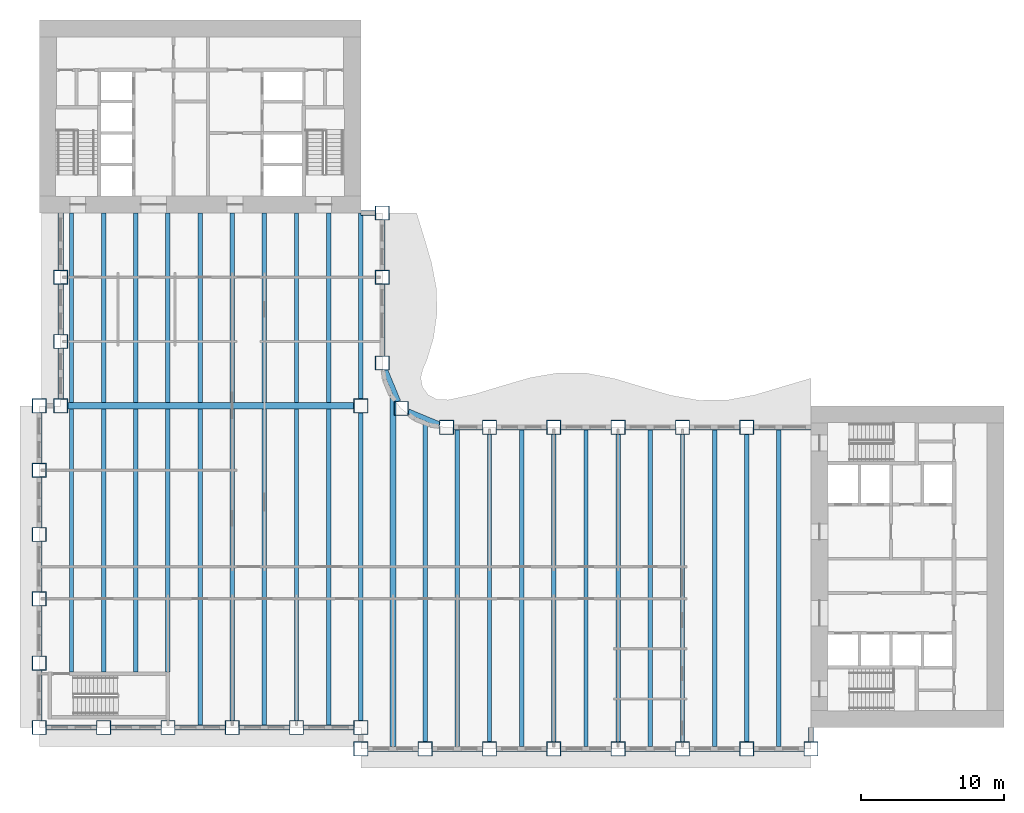
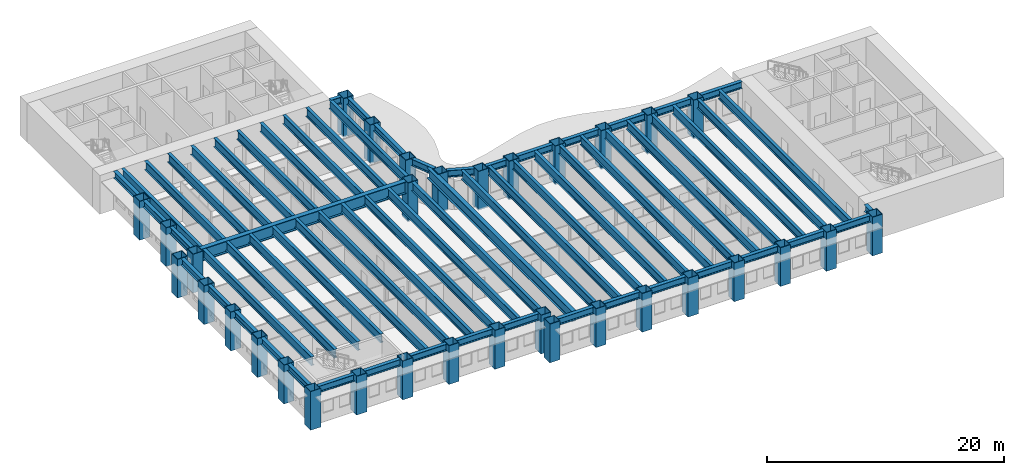
# One storey, part 1 of 16: 66 beams, 33 columns.
"""IFC4 building model written with IfcOpenShell, lengths in metres."""

from ifc_helpers import new_model, si_unit, direction, frame, origin, origin_2d, place, context, subcontext, project, spatial, hollow_rectangle, i_section, extrude, material, material_profile, profile_set, type_object, element, save


model = new_model("IFC4")

# Units and contexts
model_context = context("Model", 3, precision=1e-05, world=origin(), true_north=direction((0.0, 1.0)))
body_context = subcontext(model_context, "Body", "Model", "MODEL_VIEW")
ifc_project = project(units=[si_unit("LENGTHUNIT", "METRE"), si_unit("AREAUNIT", "SQUARE_METRE"), si_unit("VOLUMEUNIT", "CUBIC_METRE"), si_unit("PLANEANGLEUNIT", "RADIAN"), si_unit("MASSUNIT", "GRAM", prefix="KILO")], contexts=[model_context])

# Site, building, storey
site_placement = place(None, origin())
site = spatial("IfcSite", under=ifc_project, at=site_placement, CompositionType="ELEMENT")
building_placement = place(site_placement, origin())
building = spatial("IfcBuilding", under=site, at=building_placement, Name="Sennacour Bend Tower", CompositionType="ELEMENT")
storey_placement = place(building_placement, frame((0.0, 0.0, 119.0)))
storey = spatial("IfcBuildingStorey", under=building, at=storey_placement, Name="L27", CompositionType="ELEMENT", Elevation=119.0)

# Columns
ifc_material_1 = material(Name="Steel ASTM A572 Grade 50", Category="steel")
ifc_material_profile_1 = material_profile(ifc_material_1, hollow_rectangle(XDim=1.0, YDim=1.0, WallThickness=0.050048828125, at=origin_2d()), Name="Steel ASTM A572 Grade 50", Category="steel")
ifc_profile_set_1 = profile_set([ifc_material_profile_1], Name="Steel ASTM A572 Grade 50")
column_type = type_object("IfcColumnType", Name="Box column 1000", PredefinedType="COLUMN", material=ifc_profile_set_1)
for number, where, z_axis, x_axis, name in (
    (1, (0.0, 0.0, -0.14990234375), (0.0, 0.0, 1.0), (1.0, 0.0, 0.0), "Perimeter column C2 L27-001"),
    (2, (0.0, 4.5, -0.14990234375), (0.0, 0.0, 1.0), (1.0, 0.0, 0.0), "Perimeter column C2 L27-002"),
    (3, (0.0, 9.0, -0.14990234375), (0.0, 0.0, 1.0), (1.0, 0.0, 0.0), "Perimeter column C2 L27-003"),
    (4, (0.0, 13.5, -0.14990234375), (0.0, 0.0, 1.0), (1.0, 0.0, 0.0), "Perimeter column C2 L27-004"),
    (5, (0.0, 18.0, -0.14990234375), (0.0, 0.0, 1.0), (1.0, 0.0, 0.0), "Perimeter column C2 L27-005"),
    (6, (0.0, 22.5, -0.14990234375), (0.0, 0.0, 1.0), (1.0, 0.0, 0.0), "Perimeter column C2 L27-006"),
    (7, (1.5, 22.5, -0.14990234375), (0.0, 0.0, 1.0), (1.0, 0.0, 0.0), "Perimeter column C2 L27-007"),
    (8, (1.5, 27.0, -0.14990234375), (0.0, 0.0, 1.0), (1.0, 0.0, 0.0), "Perimeter column C2 L27-008"),
    (9, (1.5, 31.5, -0.14990234375), (0.0, 0.0, 1.0), (1.0, 0.0, 0.0), "Perimeter column C2 L27-009"),
    (10, (4.5, 0.0, -0.14990234375), (0.0, 0.0, 1.0), (1.0, 0.0, 0.0), "Perimeter column C2 L27-010"),
    (11, (9.0, 0.0, -0.14990234375), (0.0, 0.0, 1.0), (1.0, 0.0, 0.0), "Perimeter column C2 L27-011"),
    (12, (13.5, 0.0, -0.14990234375), (0.0, 0.0, 1.0), (1.0, 0.0, 0.0), "Perimeter column C2 L27-012"),
    (13, (18.0, 0.0, -0.14990234375), (0.0, 0.0, 1.0), (1.0, 0.0, 0.0), "Perimeter column C2 L27-013"),
    (14, (22.5, -1.5, -0.14990234375), (0.0, 0.0, 1.0), (1.0, 0.0, 0.0), "Perimeter column C2 L27-014"),
    (15, (22.5, 0.0, -0.14990234375), (0.0, 0.0, 1.0), (1.0, 0.0, 0.0), "Perimeter column C2 L27-015"),
    (16, (22.5, 22.5, -0.14990234375), (0.0, 0.0, 1.0), (1.0, 0.0, 0.0), "Knuckle column C2 L27-016"),
    (17, (24.0, 25.5, -0.14990234375), (0.0, 0.0, 1.0), (1.0, 0.0, 0.0), "Perimeter column C2 L27-017"),
    (18, (24.0, 31.5, -0.14990234375), (0.0, 0.0, 1.0), (1.0, 0.0, 0.0), "Perimeter column C2 L27-018"),
    (19, (24.0, 36.0, -0.14990234375), (0.0, 0.0, 1.0), (1.0, 0.0, 0.0), "Perimeter column C2 L27-019"),
    (20, (25.318115234375, 22.318115234375, -0.14990234375), (0.0, 0.0, 1.0), (1.0, 0.0, 0.0), "Perimeter column C2 L27-020"),
    (21, (27.0, -1.5, -0.14990234375), (0.0, 0.0, 1.0), (1.0, 0.0, 0.0), "Perimeter column C2 L27-021"),
    (22, (28.5, 21.0, -0.14990234375), (0.0, 0.0, 1.0), (1.0, 0.0, 0.0), "Perimeter column C2 L27-022"),
    (23, (31.5, -1.5, -0.14990234375), (0.0, 0.0, 1.0), (1.0, 0.0, 0.0), "Perimeter column C2 L27-023"),
    (24, (31.5, 21.0, -0.14990234375), (0.0, 0.0, 1.0), (1.0, 0.0, 0.0), "Perimeter column C2 L27-024"),
    (25, (36.0, -1.5, -0.14990234375), (0.0, 0.0, 1.0), (1.0, 0.0, 0.0), "Perimeter column C2 L27-025"),
    (26, (36.0, 21.0, -0.14990234375), (0.0, 0.0, 1.0), (1.0, 0.0, 0.0), "Perimeter column C2 L27-026"),
    (27, (40.5, -1.5, -0.14990234375), (0.0, 0.0, 1.0), (1.0, 0.0, 0.0), "Perimeter column C2 L27-027"),
    (28, (40.5, 21.0, -0.14990234375), (0.0, 0.0, 1.0), (1.0, 0.0, 0.0), "Perimeter column C2 L27-028"),
    (29, (45.0, -1.5, -0.14990234375), (0.0, 0.0, 1.0), (1.0, 0.0, 0.0), "Perimeter column C2 L27-029"),
    (30, (45.0, 21.0, -0.14990234375), (0.0, 0.0, 1.0), (1.0, 0.0, 0.0), "Perimeter column C2 L27-030"),
    (31, (49.5, -1.5, -0.14990234375), (0.0, 0.0, 1.0), (1.0, 0.0, 0.0), "Perimeter column C2 L27-031"),
    (32, (49.5, 21.0, -0.14990234375), (0.0, 0.0, 1.0), (1.0, 0.0, 0.0), "Perimeter column C2 L27-032"),
    (33, (54.0, -1.5, -0.14990234375), (0.0, 0.0, 1.0), (1.0, 0.0, 0.0), "Perimeter column C2 L27-033"),
):
    element("IfcColumn", number, at=place(storey_placement, frame(where, z_axis=z_axis, x_axis=x_axis)), inside=storey, type_object=column_type, Name=name, PredefinedType="COLUMN", context=body_context, shape_type="SweptSolid", body=[
        extrude(hollow_rectangle(XDim=1.0, YDim=1.0, WallThickness=0.050048828125, at=origin_2d()), origin(), (0.0, 0.0, 1.0), 4.0),
    ])

# Beams
ifc_material_2 = material(Name="Steel ASTM A992 Grade 50", Category="steel")
ifc_material_profile_2 = material_profile(ifc_material_2, i_section(OverallWidth=0.304931640625, OverallDepth=0.912109375, WebThickness=0.015869140625, FlangeThickness=0.02392578125, FilletRadius=0.01904296875, at=origin_2d()), Name="Steel ASTM A992 Grade 50", Category="steel")
ifc_profile_set_2 = profile_set([ifc_material_profile_2], Name="Steel ASTM A992 Grade 50")
beam_type_1 = type_object("IfcBeamType", Name="Floor beam W920X223", PredefinedType="BEAM", material=ifc_profile_set_2)
beam_1_placement = place(storey_placement, frame((2.25, 3.875, 3.39404296875), z_axis=(0.0, 1.0, 0.0), x_axis=(-1.0, 0.0, 0.0)))
element("IfcBeam", 34, at=beam_1_placement, inside=storey, type_object=beam_type_1, Name="Floor beam FBM1 L28-001", PredefinedType="BEAM", context=body_context, shape_type="SweptSolid", body=[
    extrude(i_section(OverallWidth=0.304931640625, OverallDepth=0.912109375, WebThickness=0.015869140625, FlangeThickness=0.02392578125, FilletRadius=0.01904296875, at=origin_2d()), origin(), (0.0, 0.0, 1.0), 18.39990234375),
])
beam_2_placement = place(storey_placement, frame((2.25, 22.72509765625, 3.39404296875), z_axis=(0.0, 1.0, 0.0), x_axis=(-1.0, 0.0, 0.0)))
element("IfcBeam", 35, at=beam_2_placement, inside=storey, type_object=beam_type_1, Name="Floor beam FBM1 L28-002", PredefinedType="BEAM", context=body_context, shape_type="SweptSolid", body=[
    extrude(i_section(OverallWidth=0.304931640625, OverallDepth=0.912109375, WebThickness=0.015869140625, FlangeThickness=0.02392578125, FilletRadius=0.01904296875, at=origin_2d()), origin(), (0.0, 0.0, 1.0), 13.27490234375),
])
beam_3_placement = place(storey_placement, frame((4.5, 3.875, 3.39404296875), z_axis=(0.0, 1.0, 0.0), x_axis=(-1.0, 0.0, 0.0)))
element("IfcBeam", 36, at=beam_3_placement, inside=storey, type_object=beam_type_1, Name="Floor beam FBM1 L28-003", PredefinedType="BEAM", context=body_context, shape_type="SweptSolid", body=[
    extrude(i_section(OverallWidth=0.304931640625, OverallDepth=0.912109375, WebThickness=0.015869140625, FlangeThickness=0.02392578125, FilletRadius=0.01904296875, at=origin_2d()), origin(), (0.0, 0.0, 1.0), 18.39990234375),
])
beam_4_placement = place(storey_placement, frame((4.5, 22.72509765625, 3.39404296875), z_axis=(0.0, 1.0, 0.0), x_axis=(-1.0, 0.0, 0.0)))
element("IfcBeam", 37, at=beam_4_placement, inside=storey, type_object=beam_type_1, Name="Floor beam FBM1 L28-004", PredefinedType="BEAM", context=body_context, shape_type="SweptSolid", body=[
    extrude(i_section(OverallWidth=0.304931640625, OverallDepth=0.912109375, WebThickness=0.015869140625, FlangeThickness=0.02392578125, FilletRadius=0.01904296875, at=origin_2d()), origin(), (0.0, 0.0, 1.0), 13.27490234375),
])
beam_5_placement = place(storey_placement, frame((6.75, 3.875, 3.39404296875), z_axis=(0.0, 1.0, 0.0), x_axis=(-1.0, 0.0, 0.0)))
element("IfcBeam", 38, at=beam_5_placement, inside=storey, type_object=beam_type_1, Name="Floor beam FBM1 L28-005", PredefinedType="BEAM", context=body_context, shape_type="SweptSolid", body=[
    extrude(i_section(OverallWidth=0.304931640625, OverallDepth=0.912109375, WebThickness=0.015869140625, FlangeThickness=0.02392578125, FilletRadius=0.01904296875, at=origin_2d()), origin(), (0.0, 0.0, 1.0), 18.39990234375),
])
beam_6_placement = place(storey_placement, frame((6.75, 22.72509765625, 3.39404296875), z_axis=(0.0, 1.0, 0.0), x_axis=(-1.0, 0.0, 0.0)))
element("IfcBeam", 39, at=beam_6_placement, inside=storey, type_object=beam_type_1, Name="Floor beam FBM1 L28-006", PredefinedType="BEAM", context=body_context, shape_type="SweptSolid", body=[
    extrude(i_section(OverallWidth=0.304931640625, OverallDepth=0.912109375, WebThickness=0.015869140625, FlangeThickness=0.02392578125, FilletRadius=0.01904296875, at=origin_2d()), origin(), (0.0, 0.0, 1.0), 13.27490234375),
])
beam_7_placement = place(storey_placement, frame((9.0, 3.875, 3.39404296875), z_axis=(0.0, 1.0, 0.0), x_axis=(-1.0, 0.0, 0.0)))
element("IfcBeam", 40, at=beam_7_placement, inside=storey, type_object=beam_type_1, Name="Floor beam FBM1 L28-007", PredefinedType="BEAM", context=body_context, shape_type="SweptSolid", body=[
    extrude(i_section(OverallWidth=0.304931640625, OverallDepth=0.912109375, WebThickness=0.015869140625, FlangeThickness=0.02392578125, FilletRadius=0.01904296875, at=origin_2d()), origin(), (0.0, 0.0, 1.0), 18.39990234375),
])
beam_8_placement = place(storey_placement, frame((9.0, 22.72509765625, 3.39404296875), z_axis=(0.0, 1.0, 0.0), x_axis=(-1.0, 0.0, 0.0)))
element("IfcBeam", 41, at=beam_8_placement, inside=storey, type_object=beam_type_1, Name="Floor beam FBM1 L28-008", PredefinedType="BEAM", context=body_context, shape_type="SweptSolid", body=[
    extrude(i_section(OverallWidth=0.304931640625, OverallDepth=0.912109375, WebThickness=0.015869140625, FlangeThickness=0.02392578125, FilletRadius=0.01904296875, at=origin_2d()), origin(), (0.0, 0.0, 1.0), 13.27490234375),
])
beam_9_placement = place(storey_placement, frame((11.25, 0.177978515625, 3.39404296875), z_axis=(0.0, 1.0, 0.0), x_axis=(-1.0, 0.0, 0.0)))
element("IfcBeam", 42, at=beam_9_placement, inside=storey, type_object=beam_type_1, Name="Floor beam FBM1 L28-009", PredefinedType="BEAM", context=body_context, shape_type="SweptSolid", body=[
    extrude(i_section(OverallWidth=0.304931640625, OverallDepth=0.912109375, WebThickness=0.015869140625, FlangeThickness=0.02392578125, FilletRadius=0.01904296875, at=origin_2d()), origin(), (0.0, 0.0, 1.0), 22.096923828125),
])
beam_10_placement = place(storey_placement, frame((11.25, 22.72509765625, 3.39404296875), z_axis=(0.0, 1.0, 0.0), x_axis=(-1.0, 0.0, 0.0)))
element("IfcBeam", 43, at=beam_10_placement, inside=storey, type_object=beam_type_1, Name="Floor beam FBM1 L28-010", PredefinedType="BEAM", context=body_context, shape_type="SweptSolid", body=[
    extrude(i_section(OverallWidth=0.304931640625, OverallDepth=0.912109375, WebThickness=0.015869140625, FlangeThickness=0.02392578125, FilletRadius=0.01904296875, at=origin_2d()), origin(), (0.0, 0.0, 1.0), 13.27490234375),
])
beam_11_placement = place(storey_placement, frame((13.5, 0.5, 3.39404296875), z_axis=(0.0, 1.0, 0.0), x_axis=(-1.0, 0.0, 0.0)))
element("IfcBeam", 44, at=beam_11_placement, inside=storey, type_object=beam_type_1, Name="Floor beam FBM1 L28-011", PredefinedType="BEAM", context=body_context, shape_type="SweptSolid", body=[
    extrude(i_section(OverallWidth=0.304931640625, OverallDepth=0.912109375, WebThickness=0.015869140625, FlangeThickness=0.02392578125, FilletRadius=0.01904296875, at=origin_2d()), origin(), (0.0, 0.0, 1.0), 21.77490234375),
])
beam_12_placement = place(storey_placement, frame((13.5, 22.72509765625, 3.39404296875), z_axis=(0.0, 1.0, 0.0), x_axis=(-1.0, 0.0, 0.0)))
element("IfcBeam", 45, at=beam_12_placement, inside=storey, type_object=beam_type_1, Name="Floor beam FBM1 L28-012", PredefinedType="BEAM", context=body_context, shape_type="SweptSolid", body=[
    extrude(i_section(OverallWidth=0.304931640625, OverallDepth=0.912109375, WebThickness=0.015869140625, FlangeThickness=0.02392578125, FilletRadius=0.01904296875, at=origin_2d()), origin(), (0.0, 0.0, 1.0), 13.27490234375),
])
beam_13_placement = place(storey_placement, frame((15.75, 0.177978515625, 3.39404296875), z_axis=(0.0, 1.0, 0.0), x_axis=(-1.0, 0.0, 0.0)))
element("IfcBeam", 46, at=beam_13_placement, inside=storey, type_object=beam_type_1, Name="Floor beam FBM1 L28-013", PredefinedType="BEAM", context=body_context, shape_type="SweptSolid", body=[
    extrude(i_section(OverallWidth=0.304931640625, OverallDepth=0.912109375, WebThickness=0.015869140625, FlangeThickness=0.02392578125, FilletRadius=0.01904296875, at=origin_2d()), origin(), (0.0, 0.0, 1.0), 22.096923828125),
])
beam_14_placement = place(storey_placement, frame((15.75, 22.72509765625, 3.39404296875), z_axis=(0.0, 1.0, 0.0), x_axis=(-1.0, 0.0, 0.0)))
element("IfcBeam", 47, at=beam_14_placement, inside=storey, type_object=beam_type_1, Name="Floor beam FBM1 L28-014", PredefinedType="BEAM", context=body_context, shape_type="SweptSolid", body=[
    extrude(i_section(OverallWidth=0.304931640625, OverallDepth=0.912109375, WebThickness=0.015869140625, FlangeThickness=0.02392578125, FilletRadius=0.01904296875, at=origin_2d()), origin(), (0.0, 0.0, 1.0), 13.27490234375),
])
beam_15_placement = place(storey_placement, frame((18.0, 0.5, 3.39404296875), z_axis=(0.0, 1.0, 0.0), x_axis=(-1.0, 0.0, 0.0)))
element("IfcBeam", 48, at=beam_15_placement, inside=storey, type_object=beam_type_1, Name="Floor beam FBM1 L28-015", PredefinedType="BEAM", context=body_context, shape_type="SweptSolid", body=[
    extrude(i_section(OverallWidth=0.304931640625, OverallDepth=0.912109375, WebThickness=0.015869140625, FlangeThickness=0.02392578125, FilletRadius=0.01904296875, at=origin_2d()), origin(), (0.0, 0.0, 1.0), 21.77490234375),
])
beam_16_placement = place(storey_placement, frame((18.0, 22.72509765625, 3.39404296875), z_axis=(0.0, 1.0, 0.0), x_axis=(-1.0, 0.0, 0.0)))
element("IfcBeam", 49, at=beam_16_placement, inside=storey, type_object=beam_type_1, Name="Floor beam FBM1 L28-016", PredefinedType="BEAM", context=body_context, shape_type="SweptSolid", body=[
    extrude(i_section(OverallWidth=0.304931640625, OverallDepth=0.912109375, WebThickness=0.015869140625, FlangeThickness=0.02392578125, FilletRadius=0.01904296875, at=origin_2d()), origin(), (0.0, 0.0, 1.0), 13.27490234375),
])
beam_17_placement = place(storey_placement, frame((20.25, 0.177978515625, 3.39404296875), z_axis=(0.0, 1.0, 0.0), x_axis=(-1.0, 0.0, 0.0)))
element("IfcBeam", 50, at=beam_17_placement, inside=storey, type_object=beam_type_1, Name="Floor beam FBM1 L28-017", PredefinedType="BEAM", context=body_context, shape_type="SweptSolid", body=[
    extrude(i_section(OverallWidth=0.304931640625, OverallDepth=0.912109375, WebThickness=0.015869140625, FlangeThickness=0.02392578125, FilletRadius=0.01904296875, at=origin_2d()), origin(), (0.0, 0.0, 1.0), 22.096923828125),
])
beam_18_placement = place(storey_placement, frame((20.25, 22.72509765625, 3.39404296875), z_axis=(0.0, 1.0, 0.0), x_axis=(-1.0, 0.0, 0.0)))
element("IfcBeam", 51, at=beam_18_placement, inside=storey, type_object=beam_type_1, Name="Floor beam FBM1 L28-018", PredefinedType="BEAM", context=body_context, shape_type="SweptSolid", body=[
    extrude(i_section(OverallWidth=0.304931640625, OverallDepth=0.912109375, WebThickness=0.015869140625, FlangeThickness=0.02392578125, FilletRadius=0.01904296875, at=origin_2d()), origin(), (0.0, 0.0, 1.0), 13.27490234375),
])
beam_19_placement = place(storey_placement, frame((22.5, 0.5, 3.39404296875), z_axis=(0.0, 1.0, 0.0), x_axis=(-1.0, 0.0, 0.0)))
element("IfcBeam", 52, at=beam_19_placement, inside=storey, type_object=beam_type_1, Name="Floor beam FBM1 L28-019", PredefinedType="BEAM", context=body_context, shape_type="SweptSolid", body=[
    extrude(i_section(OverallWidth=0.304931640625, OverallDepth=0.912109375, WebThickness=0.015869140625, FlangeThickness=0.02392578125, FilletRadius=0.01904296875, at=origin_2d()), origin(), (0.0, 0.0, 1.0), 21.5),
])
beam_20_placement = place(storey_placement, frame((22.5, 23.0, 3.39404296875), z_axis=(0.0, 1.0, 0.0), x_axis=(-1.0, 0.0, 0.0)))
element("IfcBeam", 53, at=beam_20_placement, inside=storey, type_object=beam_type_1, Name="Floor beam FBM1 L28-020", PredefinedType="BEAM", context=body_context, shape_type="SweptSolid", body=[
    extrude(i_section(OverallWidth=0.304931640625, OverallDepth=0.912109375, WebThickness=0.015869140625, FlangeThickness=0.02392578125, FilletRadius=0.01904296875, at=origin_2d()), origin(), (0.0, 0.0, 1.0), 13.0),
])
beam_21_placement = place(storey_placement, frame((27.0, -1.0, 3.39404296875), z_axis=(0.0, 1.0, 0.0), x_axis=(-1.0, 0.0, 0.0)))
element("IfcBeam", 54, at=beam_21_placement, inside=storey, type_object=beam_type_1, Name="Floor beam FBM1 L28-022", PredefinedType="BEAM", context=body_context, shape_type="SweptSolid", body=[
    extrude(i_section(OverallWidth=0.304931640625, OverallDepth=0.912109375, WebThickness=0.015869140625, FlangeThickness=0.02392578125, FilletRadius=0.01904296875, at=origin_2d()), origin(), (0.0, 0.0, 1.0), 22.4287109375),
])
beam_22_placement = place(storey_placement, frame((29.25, -1.322021484375, 3.39404296875), z_axis=(0.0, 1.0, 0.0), x_axis=(-1.0, 0.0, 0.0)))
element("IfcBeam", 55, at=beam_22_placement, inside=storey, type_object=beam_type_1, Name="Floor beam FBM1 L28-023", PredefinedType="BEAM", context=body_context, shape_type="SweptSolid", body=[
    extrude(i_section(OverallWidth=0.304931640625, OverallDepth=0.912109375, WebThickness=0.015869140625, FlangeThickness=0.02392578125, FilletRadius=0.01904296875, at=origin_2d()), origin(), (0.0, 0.0, 1.0), 22.14404296875),
])
beam_23_placement = place(storey_placement, frame((31.5, -1.0, 3.39404296875), z_axis=(0.0, 1.0, 0.0), x_axis=(-1.0, 0.0, 0.0)))
element("IfcBeam", 56, at=beam_23_placement, inside=storey, type_object=beam_type_1, Name="Floor beam FBM1 L28-024", PredefinedType="BEAM", context=body_context, shape_type="SweptSolid", body=[
    extrude(i_section(OverallWidth=0.304931640625, OverallDepth=0.912109375, WebThickness=0.015869140625, FlangeThickness=0.02392578125, FilletRadius=0.01904296875, at=origin_2d()), origin(), (0.0, 0.0, 1.0), 21.5),
])
beam_24_placement = place(storey_placement, frame((33.75, -1.322021484375, 3.39404296875), z_axis=(0.0, 1.0, 0.0), x_axis=(-1.0, 0.0, 0.0)))
element("IfcBeam", 57, at=beam_24_placement, inside=storey, type_object=beam_type_1, Name="Floor beam FBM1 L28-025", PredefinedType="BEAM", context=body_context, shape_type="SweptSolid", body=[
    extrude(i_section(OverallWidth=0.304931640625, OverallDepth=0.912109375, WebThickness=0.015869140625, FlangeThickness=0.02392578125, FilletRadius=0.01904296875, at=origin_2d()), origin(), (0.0, 0.0, 1.0), 22.14404296875),
])
beam_25_placement = place(storey_placement, frame((36.0, -1.0, 3.39404296875), z_axis=(0.0, 1.0, 0.0), x_axis=(-1.0, 0.0, 0.0)))
element("IfcBeam", 58, at=beam_25_placement, inside=storey, type_object=beam_type_1, Name="Floor beam FBM1 L28-026", PredefinedType="BEAM", context=body_context, shape_type="SweptSolid", body=[
    extrude(i_section(OverallWidth=0.304931640625, OverallDepth=0.912109375, WebThickness=0.015869140625, FlangeThickness=0.02392578125, FilletRadius=0.01904296875, at=origin_2d()), origin(), (0.0, 0.0, 1.0), 21.5),
])
beam_26_placement = place(storey_placement, frame((38.25, -1.322021484375, 3.39404296875), z_axis=(0.0, 1.0, 0.0), x_axis=(-1.0, 0.0, 0.0)))
element("IfcBeam", 59, at=beam_26_placement, inside=storey, type_object=beam_type_1, Name="Floor beam FBM1 L28-027", PredefinedType="BEAM", context=body_context, shape_type="SweptSolid", body=[
    extrude(i_section(OverallWidth=0.304931640625, OverallDepth=0.912109375, WebThickness=0.015869140625, FlangeThickness=0.02392578125, FilletRadius=0.01904296875, at=origin_2d()), origin(), (0.0, 0.0, 1.0), 22.14404296875),
])
beam_27_placement = place(storey_placement, frame((40.5, -1.0, 3.39404296875), z_axis=(0.0, 1.0, 0.0), x_axis=(-1.0, 0.0, 0.0)))
element("IfcBeam", 60, at=beam_27_placement, inside=storey, type_object=beam_type_1, Name="Floor beam FBM1 L28-028", PredefinedType="BEAM", context=body_context, shape_type="SweptSolid", body=[
    extrude(i_section(OverallWidth=0.304931640625, OverallDepth=0.912109375, WebThickness=0.015869140625, FlangeThickness=0.02392578125, FilletRadius=0.01904296875, at=origin_2d()), origin(), (0.0, 0.0, 1.0), 21.5),
])
beam_28_placement = place(storey_placement, frame((42.75, -1.322021484375, 3.39404296875), z_axis=(0.0, 1.0, 0.0), x_axis=(-1.0, 0.0, 0.0)))
element("IfcBeam", 61, at=beam_28_placement, inside=storey, type_object=beam_type_1, Name="Floor beam FBM1 L28-029", PredefinedType="BEAM", context=body_context, shape_type="SweptSolid", body=[
    extrude(i_section(OverallWidth=0.304931640625, OverallDepth=0.912109375, WebThickness=0.015869140625, FlangeThickness=0.02392578125, FilletRadius=0.01904296875, at=origin_2d()), origin(), (0.0, 0.0, 1.0), 22.14404296875),
])
beam_29_placement = place(storey_placement, frame((45.0, -1.0, 3.39404296875), z_axis=(0.0, 1.0, 0.0), x_axis=(-1.0, 0.0, 0.0)))
element("IfcBeam", 62, at=beam_29_placement, inside=storey, type_object=beam_type_1, Name="Floor beam FBM1 L28-030", PredefinedType="BEAM", context=body_context, shape_type="SweptSolid", body=[
    extrude(i_section(OverallWidth=0.304931640625, OverallDepth=0.912109375, WebThickness=0.015869140625, FlangeThickness=0.02392578125, FilletRadius=0.01904296875, at=origin_2d()), origin(), (0.0, 0.0, 1.0), 21.5),
])
beam_30_placement = place(storey_placement, frame((47.25, -1.322021484375, 3.39404296875), z_axis=(0.0, 1.0, 0.0), x_axis=(-1.0, 0.0, 0.0)))
element("IfcBeam", 63, at=beam_30_placement, inside=storey, type_object=beam_type_1, Name="Floor beam FBM1 L28-031", PredefinedType="BEAM", context=body_context, shape_type="SweptSolid", body=[
    extrude(i_section(OverallWidth=0.304931640625, OverallDepth=0.912109375, WebThickness=0.015869140625, FlangeThickness=0.02392578125, FilletRadius=0.01904296875, at=origin_2d()), origin(), (0.0, 0.0, 1.0), 22.14404296875),
])
beam_31_placement = place(storey_placement, frame((49.5, -1.0, 3.39404296875), z_axis=(0.0, 1.0, 0.0), x_axis=(-1.0, 0.0, 0.0)))
element("IfcBeam", 64, at=beam_31_placement, inside=storey, type_object=beam_type_1, Name="Floor beam FBM1 L28-032", PredefinedType="BEAM", context=body_context, shape_type="SweptSolid", body=[
    extrude(i_section(OverallWidth=0.304931640625, OverallDepth=0.912109375, WebThickness=0.015869140625, FlangeThickness=0.02392578125, FilletRadius=0.01904296875, at=origin_2d()), origin(), (0.0, 0.0, 1.0), 21.5),
])
beam_32_placement = place(storey_placement, frame((51.75, -1.322021484375, 3.39404296875), z_axis=(0.0, 1.0, 0.0), x_axis=(-1.0, 0.0, 0.0)))
element("IfcBeam", 65, at=beam_32_placement, inside=storey, type_object=beam_type_1, Name="Floor beam FBM1 L28-033", PredefinedType="BEAM", context=body_context, shape_type="SweptSolid", body=[
    extrude(i_section(OverallWidth=0.304931640625, OverallDepth=0.912109375, WebThickness=0.015869140625, FlangeThickness=0.02392578125, FilletRadius=0.01904296875, at=origin_2d()), origin(), (0.0, 0.0, 1.0), 22.14404296875),
])
ifc_material_profile_3 = material_profile(ifc_material_1, i_section(OverallWidth=0.449951171875, OverallDepth=1.25, WebThickness=0.028076171875, FlangeThickness=0.050048828125, at=origin_2d()), Name="Steel ASTM A572 Grade 50", Category="steel")
ifc_profile_set_3 = profile_set([ifc_material_profile_3], Name="Steel ASTM A572 Grade 50")
beam_type_2 = type_object("IfcBeamType", Name="Knuckle girder 1250", PredefinedType="USERDEFINED", material=ifc_profile_set_3)
beam_33_placement = place(storey_placement, frame((2.0, 22.5, 3.22509765625), z_axis=(1.0, 0.0, 0.0), x_axis=(0.0, 1.0, 0.0)))
element("IfcBeam", 66, at=beam_33_placement, inside=storey, type_object=beam_type_2, Name="Knuckle girder GK L28-001", ObjectType="KNUCKLE GIRDER", PredefinedType="USERDEFINED", context=body_context, shape_type="SweptSolid", body=[
    extrude(i_section(OverallWidth=0.449951171875, OverallDepth=1.25, WebThickness=0.028076171875, FlangeThickness=0.050048828125, at=origin_2d()), origin(), (0.0, 0.0, 1.0), 20.0),
])
ifc_material_profile_4 = material_profile(ifc_material_2, i_section(OverallWidth=0.40087890625, OverallDepth=1.090087890625, WebThickness=0.01806640625, FlangeThickness=0.031005859375, FilletRadius=0.02001953125, at=origin_2d()), Name="Steel ASTM A992 Grade 50", Category="steel")
ifc_profile_set_4 = profile_set([ifc_material_profile_4], Name="Steel ASTM A992 Grade 50")
beam_type_3 = type_object("IfcBeamType", Name="Notch floor beam W1100X343", PredefinedType="BEAM", material=ifc_profile_set_4)
beam_34_placement = place(storey_placement, frame((24.75, -1.322021484375, 3.304931640625), z_axis=(0.0, 1.0, 0.0), x_axis=(-1.0, 0.0, 0.0)))
element("IfcBeam", 67, at=beam_34_placement, inside=storey, type_object=beam_type_3, Name="Floor beam FBM4 L28-021", PredefinedType="BEAM", context=body_context, shape_type="SweptSolid", body=[
    extrude(i_section(OverallWidth=0.40087890625, OverallDepth=1.090087890625, WebThickness=0.01806640625, FlangeThickness=0.031005859375, FilletRadius=0.02001953125, at=origin_2d()), origin(), (0.0, 0.0, 1.0), 24.546142578125),
])
ifc_material_profile_5 = material_profile(ifc_material_2, i_section(OverallWidth=0.35595703125, OverallDepth=0.696044921875, WebThickness=0.015380859375, FlangeThickness=0.02490234375, FilletRadius=0.02001953125, at=origin_2d()), Name="Steel ASTM A992 Grade 50", Category="steel")
ifc_profile_set_5 = profile_set([ifc_material_profile_5], Name="Steel ASTM A992 Grade 50")
beam_type_4 = type_object("IfcBeamType", Name="Spandrel beam W690X217", PredefinedType="SPANDREL", material=ifc_profile_set_5)
for number, where, z_axis, x_axis, name in (
    (68, (22.0, 0.0, 3.501953125), (-1.0, 0.0, 0.0), (0.0, -1.0, 0.0), "Spandrel beam SP3 L28-001"),
    (69, (17.5, 0.0, 3.501953125), (-1.0, 0.0, 0.0), (0.0, -1.0, 0.0), "Spandrel beam SP3 L28-002"),
    (70, (13.0, 0.0, 3.501953125), (-1.0, 0.0, 0.0), (0.0, -1.0, 0.0), "Spandrel beam SP3 L28-003"),
    (71, (8.5, 0.0, 3.501953125), (-1.0, 0.0, 0.0), (0.0, -1.0, 0.0), "Spandrel beam SP3 L28-004"),
    (72, (4.0, 0.0, 3.501953125), (-1.0, 0.0, 0.0), (0.0, -1.0, 0.0), "Spandrel beam SP3 L28-005"),
    (73, (0.0, 0.5, 3.501953125), (0.0, 1.0, 0.0), (-1.0, 0.0, 0.0), "Spandrel beam SP3 L28-006"),
    (74, (0.0, 5.0, 3.501953125), (0.0, 1.0, 0.0), (-1.0, 0.0, 0.0), "Spandrel beam SP3 L28-007"),
    (75, (0.0, 9.5, 3.501953125), (0.0, 1.0, 0.0), (-1.0, 0.0, 0.0), "Spandrel beam SP3 L28-008"),
    (76, (0.0, 14.0, 3.501953125), (0.0, 1.0, 0.0), (-1.0, 0.0, 0.0), "Spandrel beam SP3 L28-009"),
    (77, (0.0, 18.5, 3.501953125), (0.0, 1.0, 0.0), (-1.0, 0.0, 0.0), "Spandrel beam SP3 L28-010"),
    (78, (1.5, 23.0, 3.501953125), (0.0, 1.0, 0.0), (-1.0, 0.0, 0.0), "Spandrel beam SP3 L28-011"),
    (79, (1.5, 27.5, 3.501953125), (0.0, 1.0, 0.0), (-1.0, 0.0, 0.0), "Spandrel beam SP3 L28-012"),
):
    element("IfcBeam", number, at=place(storey_placement, frame(where, z_axis=z_axis, x_axis=x_axis)), inside=storey, type_object=beam_type_4, Name=name, PredefinedType="SPANDREL", context=body_context, shape_type="SweptSolid", body=[
        extrude(i_section(OverallWidth=0.35595703125, OverallDepth=0.696044921875, WebThickness=0.015380859375, FlangeThickness=0.02490234375, FilletRadius=0.02001953125, at=origin_2d()), origin(), (0.0, 0.0, 1.0), 3.5),
    ])
beam_35_placement = place(storey_placement, frame((1.5, 32.0, 3.501953125), z_axis=(0.0, 1.0, 0.0), x_axis=(-1.0, 0.0, 0.0)))
element("IfcBeam", 80, at=beam_35_placement, inside=storey, type_object=beam_type_4, Name="Spandrel beam SP3 L28-013", PredefinedType="SPANDREL", context=body_context, shape_type="SweptSolid", body=[
    extrude(i_section(OverallWidth=0.35595703125, OverallDepth=0.696044921875, WebThickness=0.015380859375, FlangeThickness=0.02490234375, FilletRadius=0.02001953125, at=origin_2d()), origin(), (0.0, 0.0, 1.0), 4.0),
])
beam_36_placement = place(storey_placement, frame((22.5, 36.0, 3.501953125), z_axis=(1.0, 0.0, 0.0), x_axis=(0.0, 1.0, 0.0)))
element("IfcBeam", 81, at=beam_36_placement, inside=storey, type_object=beam_type_4, Name="Spandrel beam SP3 L28-014", PredefinedType="SPANDREL", context=body_context, shape_type="SweptSolid", body=[
    extrude(i_section(OverallWidth=0.35595703125, OverallDepth=0.696044921875, WebThickness=0.015380859375, FlangeThickness=0.02490234375, FilletRadius=0.02001953125, at=origin_2d()), origin(), (0.0, 0.0, 1.0), 1.0),
])
beam_37_placement = place(storey_placement, frame((24.0, 35.5, 3.501953125), z_axis=(0.0, -1.0, 0.0), x_axis=(1.0, 0.0, 0.0)))
element("IfcBeam", 82, at=beam_37_placement, inside=storey, type_object=beam_type_4, Name="Spandrel beam SP3 L28-015", PredefinedType="SPANDREL", context=body_context, shape_type="SweptSolid", body=[
    extrude(i_section(OverallWidth=0.35595703125, OverallDepth=0.696044921875, WebThickness=0.015380859375, FlangeThickness=0.02490234375, FilletRadius=0.02001953125, at=origin_2d()), origin(), (0.0, 0.0, 1.0), 3.5),
])
beam_38_placement = place(storey_placement, frame((24.0, 31.0, 3.501953125), z_axis=(0.0, -1.0, 0.0), x_axis=(1.0, 0.0, 0.0)))
element("IfcBeam", 83, at=beam_38_placement, inside=storey, type_object=beam_type_4, Name="Spandrel beam SP3 L28-016", PredefinedType="SPANDREL", context=body_context, shape_type="SweptSolid", body=[
    extrude(i_section(OverallWidth=0.35595703125, OverallDepth=0.696044921875, WebThickness=0.015380859375, FlangeThickness=0.02490234375, FilletRadius=0.02001953125, at=origin_2d()), origin(), (0.0, 0.0, 1.0), 5.0),
])
for number, where, z_axis, x_axis, name in (
    (84, (24.20703125, 25.0, 3.501953125), (0.382698732017, -0.92387319504, 0.0), (0.92387319504, 0.382698732017, 0.0), "Spandrel beam SP3 L28-017"),
    (85, (25.818115234375, 22.11083984375, 3.501953125), (0.92387319504, -0.382698732017, 0.0), (0.382698732017, 0.92387319504, 0.0), "Spandrel beam SP3 L28-018"),
):
    element("IfcBeam", number, at=place(storey_placement, frame(where, z_axis=z_axis, x_axis=x_axis)), inside=storey, type_object=beam_type_4, Name=name, PredefinedType="SPANDREL", context=body_context, shape_type="SweptSolid", body=[
        extrude(i_section(OverallWidth=0.35595703125, OverallDepth=0.696044921875, WebThickness=0.015380859375, FlangeThickness=0.02490234375, FilletRadius=0.02001953125, at=origin_2d()), origin(), (0.0, 0.0, 1.0), 2.361572265625),
    ])
beam_39_placement = place(storey_placement, frame((29.0, 21.0, 3.501953125), z_axis=(1.0, 0.0, 0.0), x_axis=(0.0, 1.0, 0.0)))
element("IfcBeam", 86, at=beam_39_placement, inside=storey, type_object=beam_type_4, Name="Spandrel beam SP3 L28-019", PredefinedType="SPANDREL", context=body_context, shape_type="SweptSolid", body=[
    extrude(i_section(OverallWidth=0.35595703125, OverallDepth=0.696044921875, WebThickness=0.015380859375, FlangeThickness=0.02490234375, FilletRadius=0.02001953125, at=origin_2d()), origin(), (0.0, 0.0, 1.0), 2.0),
])
for number, where, z_axis, x_axis, name in (
    (87, (32.0, 21.0, 3.501953125), (1.0, 0.0, 0.0), (0.0, 1.0, 0.0), "Spandrel beam SP3 L28-020"),
    (88, (36.5, 21.0, 3.501953125), (1.0, 0.0, 0.0), (0.0, 1.0, 0.0), "Spandrel beam SP3 L28-021"),
    (89, (41.0, 21.0, 3.501953125), (1.0, 0.0, 0.0), (0.0, 1.0, 0.0), "Spandrel beam SP3 L28-022"),
    (90, (45.5, 21.0, 3.501953125), (1.0, 0.0, 0.0), (0.0, 1.0, 0.0), "Spandrel beam SP3 L28-023"),
):
    element("IfcBeam", number, at=place(storey_placement, frame(where, z_axis=z_axis, x_axis=x_axis)), inside=storey, type_object=beam_type_4, Name=name, PredefinedType="SPANDREL", context=body_context, shape_type="SweptSolid", body=[
        extrude(i_section(OverallWidth=0.35595703125, OverallDepth=0.696044921875, WebThickness=0.015380859375, FlangeThickness=0.02490234375, FilletRadius=0.02001953125, at=origin_2d()), origin(), (0.0, 0.0, 1.0), 3.5),
    ])
beam_40_placement = place(storey_placement, frame((50.0, 21.0, 3.501953125), z_axis=(1.0, 0.0, 0.0), x_axis=(0.0, 1.0, 0.0)))
element("IfcBeam", 91, at=beam_40_placement, inside=storey, type_object=beam_type_4, Name="Spandrel beam SP3 L28-024", PredefinedType="SPANDREL", context=body_context, shape_type="SweptSolid", body=[
    extrude(i_section(OverallWidth=0.35595703125, OverallDepth=0.696044921875, WebThickness=0.015380859375, FlangeThickness=0.02490234375, FilletRadius=0.02001953125, at=origin_2d()), origin(), (0.0, 0.0, 1.0), 4.0),
])
beam_41_placement = place(storey_placement, frame((54.0, 0.0, 3.501953125), z_axis=(0.0, -1.0, 0.0), x_axis=(1.0, 0.0, 0.0)))
element("IfcBeam", 92, at=beam_41_placement, inside=storey, type_object=beam_type_4, Name="Spandrel beam SP3 L28-025", PredefinedType="SPANDREL", context=body_context, shape_type="SweptSolid", body=[
    extrude(i_section(OverallWidth=0.35595703125, OverallDepth=0.696044921875, WebThickness=0.015380859375, FlangeThickness=0.02490234375, FilletRadius=0.02001953125, at=origin_2d()), origin(), (0.0, 0.0, 1.0), 1.0),
])
for number, where, z_axis, x_axis, name in (
    (93, (53.5, -1.5, 3.501953125), (-1.0, 0.0, 0.0), (0.0, -1.0, 0.0), "Spandrel beam SP3 L28-026"),
    (94, (49.0, -1.5, 3.501953125), (-1.0, 0.0, 0.0), (0.0, -1.0, 0.0), "Spandrel beam SP3 L28-027"),
    (95, (44.5, -1.5, 3.501953125), (-1.0, 0.0, 0.0), (0.0, -1.0, 0.0), "Spandrel beam SP3 L28-028"),
    (96, (40.0, -1.5, 3.501953125), (-1.0, 0.0, 0.0), (0.0, -1.0, 0.0), "Spandrel beam SP3 L28-029"),
    (97, (35.5, -1.5, 3.501953125), (-1.0, 0.0, 0.0), (0.0, -1.0, 0.0), "Spandrel beam SP3 L28-030"),
    (98, (31.0, -1.5, 3.501953125), (-1.0, 0.0, 0.0), (0.0, -1.0, 0.0), "Spandrel beam SP3 L28-031"),
    (99, (26.5, -1.5, 3.501953125), (-1.0, 0.0, 0.0), (0.0, -1.0, 0.0), "Spandrel beam SP3 L28-032"),
):
    element("IfcBeam", number, at=place(storey_placement, frame(where, z_axis=z_axis, x_axis=x_axis)), inside=storey, type_object=beam_type_4, Name=name, PredefinedType="SPANDREL", context=body_context, shape_type="SweptSolid", body=[
        extrude(i_section(OverallWidth=0.35595703125, OverallDepth=0.696044921875, WebThickness=0.015380859375, FlangeThickness=0.02490234375, FilletRadius=0.02001953125, at=origin_2d()), origin(), (0.0, 0.0, 1.0), 3.5),
    ])

save(model, "model.ifc")
